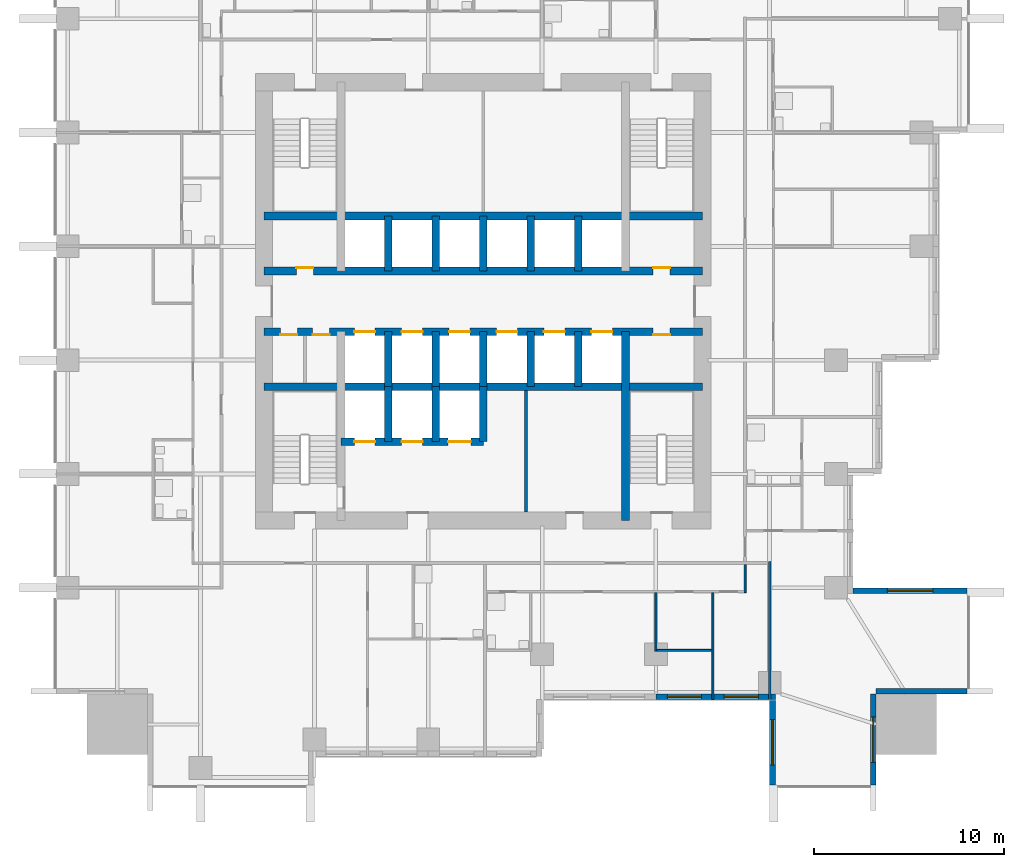
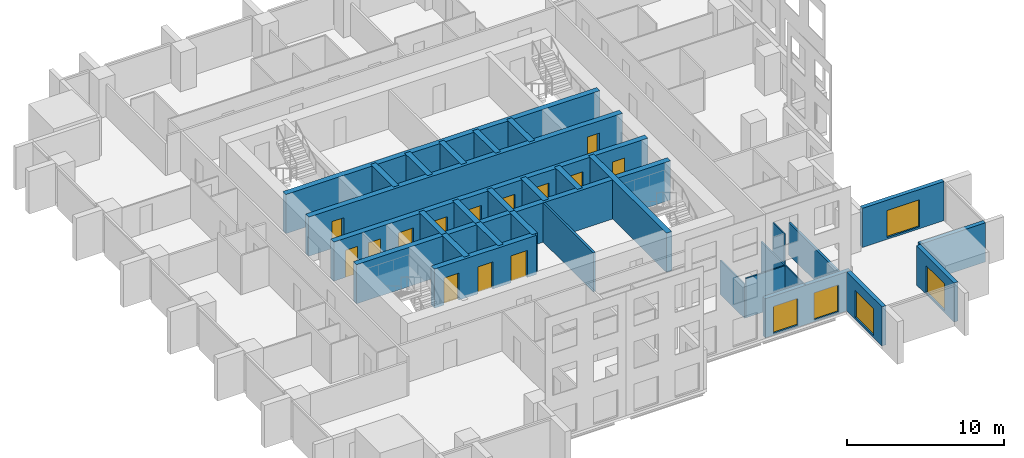
# One storey, part 5 of 11: 30 walls, 14 doors, 5 windows, 19 openings.
"""IFC4 building model written with IfcOpenShell, lengths in metres."""

from ifc_helpers import new_model, si_unit, direction, frame, frame_2d, origin, place, context, subcontext, project, spatial, rectangle, extrude, material, layer, layer_set, type_object, element, fill, save


model = new_model("IFC4")

# Units and contexts
model_context = context("Model", 3, precision=1e-05, world=origin(), true_north=direction((0.0, 1.0)))
body_context = subcontext(model_context, "Body", "Model", "MODEL_VIEW")
ifc_project = project(units=[si_unit("LENGTHUNIT", "METRE"), si_unit("AREAUNIT", "SQUARE_METRE"), si_unit("VOLUMEUNIT", "CUBIC_METRE"), si_unit("PLANEANGLEUNIT", "RADIAN"), si_unit("MASSUNIT", "GRAM", prefix="KILO")], contexts=[model_context])

# Site, building, storey
site_placement = place(None, origin())
site = spatial("IfcSite", under=ifc_project, at=site_placement, CompositionType="ELEMENT")
building_placement = place(site_placement, origin())
building = spatial("IfcBuilding", under=site, at=building_placement, Name="Amberfall Residences", CompositionType="ELEMENT")
storey_placement = place(building_placement, frame((0.0, 0.0, 33.39990234375)))
storey = spatial("IfcBuildingStorey", under=building, at=storey_placement, Name="L08", CompositionType="ELEMENT", Elevation=33.39990234375)

# Wall, opening, window
ifc_material_1 = material(Name="Pale stone cladding on insulated backing", Category="masonry")
ifc_layer_1 = layer(ifc_material_1, 0.300048828125)
ifc_layer_set_1 = layer_set([ifc_layer_1], Name="Bronze clad wall 300")
wall_type_1 = type_object("IfcWallType", Name="Bronze clad wall 300", PredefinedType="SOLIDWALL", material=ifc_layer_set_1)
wall_1_placement = place(storey_placement, frame((89.75, 24.5, 0.0), z_axis=(0.0, 0.0, 1.0), x_axis=(0.0, -1.0, 0.0)))
wall_1 = element("IfcWall", 1, at=wall_1_placement, inside=storey, type_object=wall_type_1, Name="External wall L08 S", PredefinedType="SOLIDWALL", context=body_context, shape_type="SweptSolid", body=[
    extrude(rectangle(XDim=4.5, YDim=0.300048828125, at=frame_2d((2.25, 0.0))), origin(), (0.0, 0.0, 1.0), 3.050048828125),
])
opening_1_placement = place(wall_1_placement, frame((1.050048828125, 0.0, 0.14990234375)))
opening_1 = element("IfcOpeningElement", 2, at=opening_1_placement, cuts=wall_1, Name="Opening WN5", PredefinedType="OPENING", context=body_context, shape_type="SweptSolid", body=[
    extrude(rectangle(XDim=2.39990234375, YDim=2.10009765625, at=frame_2d((1.199951171875, 1.050048828125))), frame((0.0, 0.159912109375, 0.0), z_axis=(0.0, -1.0, 0.0), x_axis=(1.0, 0.0, 0.0)), (0.0, 0.0, 1.0), 0.320068359375),
])
ifc_material_2 = material(Name="Bronze aluminium framed glazing", Category="aluminium")
window_type_1 = type_object("IfcWindowType", Name="Glazed opening 2400 x 2100 bronze", PartitioningType="DOUBLE_PANEL_VERTICAL", PredefinedType="WINDOW", material=ifc_material_2)
window_1_placement = place(opening_1_placement, origin())
window_1 = element("IfcWindow", 3, at=window_1_placement, inside=storey, type_object=window_type_1, Name="Window L08 S", OverallHeight=2.10009765625, OverallWidth=2.39990234375, PartitioningType="DOUBLE_PANEL_VERTICAL", PredefinedType="WINDOW", context=body_context, shape_type="SweptSolid", body=[
    extrude(rectangle(XDim=2.39990234375, YDim=2.10009765625, at=frame_2d((1.199951171875, 1.050048828125))), frame((0.0, 0.030029296875, 0.0), z_axis=(0.0, -1.0, 0.0), x_axis=(1.0, 0.0, 0.0)), (0.0, 0.0, 1.0), 0.06005859375),
])
fill(opening_1, window_1)

wall_2_placement = place(storey_placement, frame((95.050048828125, 20.0, 0.0), z_axis=(0.0, 0.0, 1.0), x_axis=(0.0, 1.0, 0.0)))
wall_2 = element("IfcWall", 4, at=wall_2_placement, inside=storey, type_object=wall_type_1, Name="External wall L08 SE", PredefinedType="SOLIDWALL", context=body_context, shape_type="SweptSolid", body=[
    extrude(rectangle(XDim=4.800048828125, YDim=0.300048828125, at=frame_2d((2.39990234375, 0.0))), origin(), (0.0, 0.0, 1.0), 3.050048828125),
])
opening_2_placement = place(wall_2_placement, frame((1.199951171875, 0.0, 0.14990234375)))
opening_2 = element("IfcOpeningElement", 5, at=opening_2_placement, cuts=wall_2, Name="Opening WN5", PredefinedType="OPENING", context=body_context, shape_type="SweptSolid", body=[
    extrude(rectangle(XDim=2.39990234375, YDim=2.10009765625, at=frame_2d((1.199951171875, 1.050048828125))), frame((0.0, 0.159912109375, 0.0), z_axis=(0.0, -1.0, 0.0), x_axis=(1.0, 0.0, 0.0)), (0.0, 0.0, 1.0), 0.320068359375),
])
window_2_placement = place(opening_2_placement, origin())
window_2 = element("IfcWindow", 6, at=window_2_placement, inside=storey, type_object=window_type_1, Name="Window L08 SE", OverallHeight=2.10009765625, OverallWidth=2.39990234375, PartitioningType="DOUBLE_PANEL_VERTICAL", PredefinedType="WINDOW", context=body_context, shape_type="SweptSolid", body=[
    extrude(rectangle(XDim=2.39990234375, YDim=2.10009765625, at=frame_2d((1.199951171875, 1.050048828125))), frame((0.0, 0.030029296875, 0.0), z_axis=(0.0, -1.0, 0.0), x_axis=(1.0, 0.0, 0.0)), (0.0, 0.0, 1.0), 0.06005859375),
])
fill(opening_2, window_2)

# Wall
wall_3_placement = place(storey_placement, frame((95.199951171875, 24.949951171875, 0.0), z_axis=(0.0, 0.0, 1.0), x_axis=(1.0, 0.0, 0.0)))
element("IfcWall", 7, at=wall_3_placement, inside=storey, type_object=wall_type_1, Name="External wall L08 SE", PredefinedType="SOLIDWALL", context=body_context, shape_type="SweptSolid", body=[
    extrude(rectangle(XDim=4.800048828125, YDim=0.300048828125, at=frame_2d((2.39990234375, 0.0))), origin(), (0.0, 0.0, 1.0), 3.050048828125),
])

# Wall, opening, window
wall_4_placement = place(storey_placement, frame((100.0, 30.25, 0.0), z_axis=(0.0, 0.0, 1.0), x_axis=(-1.0, 0.0, 0.0)))
wall_4 = element("IfcWall", 8, at=wall_4_placement, inside=storey, type_object=wall_type_1, Name="External wall L08 E", PredefinedType="SOLIDWALL", context=body_context, shape_type="SweptSolid", body=[
    extrude(rectangle(XDim=6.0, YDim=0.300048828125, at=frame_2d((3.0, 0.0))), origin(), (0.0, 0.0, 1.0), 3.050048828125),
])
opening_3_placement = place(wall_4_placement, frame((1.800048828125, 0.0, 0.14990234375)))
opening_3 = element("IfcOpeningElement", 9, at=opening_3_placement, cuts=wall_4, Name="Opening WN5", PredefinedType="OPENING", context=body_context, shape_type="SweptSolid", body=[
    extrude(rectangle(XDim=2.39990234375, YDim=2.10009765625, at=frame_2d((1.199951171875, 1.050048828125))), frame((0.0, 0.159912109375, 0.0), z_axis=(0.0, -1.0, 0.0), x_axis=(1.0, 0.0, 0.0)), (0.0, 0.0, 1.0), 0.320068359375),
])
window_3_placement = place(opening_3_placement, origin())
window_3 = element("IfcWindow", 10, at=window_3_placement, inside=storey, type_object=window_type_1, Name="Window L08 E", OverallHeight=2.10009765625, OverallWidth=2.39990234375, PartitioningType="DOUBLE_PANEL_VERTICAL", PredefinedType="WINDOW", context=body_context, shape_type="SweptSolid", body=[
    extrude(rectangle(XDim=2.39990234375, YDim=2.10009765625, at=frame_2d((1.199951171875, 1.050048828125))), frame((0.0, 0.030029296875, 0.0), z_axis=(0.0, -1.0, 0.0), x_axis=(1.0, 0.0, 0.0)), (0.0, 0.0, 1.0), 0.06005859375),
])
fill(opening_3, window_3)

# Wall, openings, windows
wall_5_placement = place(storey_placement, frame((83.60009765625, 24.64990234375, 0.0), z_axis=(0.0, 0.0, 1.0), x_axis=(1.0, 0.0, 0.0)))
wall_5 = element("IfcWall", 11, at=wall_5_placement, inside=storey, type_object=wall_type_1, Name="Stone wall L08 S", PredefinedType="SOLIDWALL", context=body_context, shape_type="SweptSolid", body=[
    extrude(rectangle(XDim=6.2998046875, YDim=0.300048828125, at=frame_2d((3.14990234375, 0.0))), origin(), (0.0, 0.0, 1.0), 3.050048828125),
])
opening_4_placement = place(wall_5_placement, frame((0.60009765625, 0.0, 0.14990234375)))
opening_4 = element("IfcOpeningElement", 12, at=opening_4_placement, cuts=wall_5, Name="Opening WN6", PredefinedType="OPENING", context=body_context, shape_type="SweptSolid", body=[
    extrude(rectangle(XDim=1.800048828125, YDim=2.10009765625, at=frame_2d((0.89990234375, 1.050048828125))), frame((0.0, 0.159912109375, 0.0), z_axis=(0.0, -1.0, 0.0), x_axis=(1.0, 0.0, 0.0)), (0.0, 0.0, 1.0), 0.320068359375),
])
opening_5_placement = place(wall_5_placement, frame((3.60009765625, 0.0, 0.14990234375)))
opening_5 = element("IfcOpeningElement", 13, at=opening_5_placement, cuts=wall_5, Name="Opening WN6", PredefinedType="OPENING", context=body_context, shape_type="SweptSolid", body=[
    extrude(rectangle(XDim=1.800048828125, YDim=2.10009765625, at=frame_2d((0.89990234375, 1.050048828125))), frame((0.0, 0.159912109375, 0.0), z_axis=(0.0, -1.0, 0.0), x_axis=(1.0, 0.0, 0.0)), (0.0, 0.0, 1.0), 0.320068359375),
])
window_type_2 = type_object("IfcWindowType", Name="Glazed opening 1800 x 2100 bronze", PartitioningType="DOUBLE_PANEL_VERTICAL", PredefinedType="WINDOW", material=ifc_material_2)
window_4_placement = place(opening_4_placement, origin())
window_4 = element("IfcWindow", 14, at=window_4_placement, inside=storey, type_object=window_type_2, Name="Window L08 S", OverallHeight=2.10009765625, OverallWidth=1.800048828125, PartitioningType="DOUBLE_PANEL_VERTICAL", PredefinedType="WINDOW", context=body_context, shape_type="SweptSolid", body=[
    extrude(rectangle(XDim=1.800048828125, YDim=2.10009765625, at=frame_2d((0.89990234375, 1.050048828125))), frame((0.0, 0.030029296875, 0.0), z_axis=(0.0, -1.0, 0.0), x_axis=(1.0, 0.0, 0.0)), (0.0, 0.0, 1.0), 0.06005859375),
])
fill(opening_4, window_4)
window_5_placement = place(opening_5_placement, origin())
window_5 = element("IfcWindow", 15, at=window_5_placement, inside=storey, type_object=window_type_2, Name="Window L08 S", OverallHeight=2.10009765625, OverallWidth=1.800048828125, PartitioningType="DOUBLE_PANEL_VERTICAL", PredefinedType="WINDOW", context=body_context, shape_type="SweptSolid", body=[
    extrude(rectangle(XDim=1.800048828125, YDim=2.10009765625, at=frame_2d((0.89990234375, 1.050048828125))), frame((0.0, 0.030029296875, 0.0), z_axis=(0.0, -1.0, 0.0), x_axis=(1.0, 0.0, 0.0)), (0.0, 0.0, 1.0), 0.06005859375),
])
fill(opening_5, window_5)

# Wall
ifc_material_3 = material(Name="Concrete C80", Category="concrete")
ifc_layer_2 = layer(ifc_material_3, 0.39990234375)
ifc_layer_set_2 = layer_set([ifc_layer_2], Name="Core wall 400 C80")
wall_type_2 = type_object("IfcWallType", Name="Core wall 400 C80", PredefinedType="SHEAR", material=ifc_layer_set_2)
wall_6_placement = place(storey_placement, frame((62.949951171875, 41.0, 0.0), z_axis=(0.0, 0.0, 1.0), x_axis=(1.0, 0.0, 0.0)))
element("IfcWall", 16, at=wall_6_placement, inside=storey, type_object=wall_type_2, Name="Core wall RW2 L08 H75", PredefinedType="SHEAR", context=body_context, shape_type="SweptSolid", body=[
    extrude(rectangle(XDim=23.10009765625, YDim=0.39990234375, at=frame_2d((11.550048828125, 0.0))), origin(), (0.0, 0.0, 1.0), 3.050048828125),
])

# Wall, openings, doors
wall_7_placement = place(storey_placement, frame((62.949951171875, 43.89990234375, 0.0), z_axis=(0.0, 0.0, 1.0), x_axis=(1.0, 0.0, 0.0)))
wall_7 = element("IfcWall", 17, at=wall_7_placement, inside=storey, type_object=wall_type_2, Name="Core wall RW2 L08 H104", PredefinedType="SHEAR", context=body_context, shape_type="SweptSolid", body=[
    extrude(rectangle(XDim=23.10009765625, YDim=0.39990234375, at=frame_2d((11.550048828125, 0.0))), origin(), (0.0, 0.0, 1.0), 3.050048828125),
])
opening_6_placement = place(wall_7_placement, frame((0.85009765625, 0.0, 0.0)))
opening_6 = element("IfcOpeningElement", 18, at=opening_6_placement, cuts=wall_7, Name="Opening RD1", PredefinedType="OPENING", context=body_context, shape_type="SweptSolid", body=[
    extrude(rectangle(XDim=0.89990234375, YDim=2.10009765625, at=frame_2d((0.449951171875, 1.050048828125))), frame((0.0, 0.2099609375, 0.0), z_axis=(0.0, -1.0, 0.0), x_axis=(1.0, 0.0, 0.0)), (0.0, 0.0, 1.0), 0.419921875),
])
opening_7_placement = place(wall_7_placement, frame((2.550048828125, 0.0, 0.0)))
opening_7 = element("IfcOpeningElement", 19, at=opening_7_placement, cuts=wall_7, Name="Opening RD1", PredefinedType="OPENING", context=body_context, shape_type="SweptSolid", body=[
    extrude(rectangle(XDim=0.89990234375, YDim=2.10009765625, at=frame_2d((0.449951171875, 1.050048828125))), frame((0.0, 0.2099609375, 0.0), z_axis=(0.0, -1.0, 0.0), x_axis=(1.0, 0.0, 0.0)), (0.0, 0.0, 1.0), 0.419921875),
])
opening_8_placement = place(wall_7_placement, frame((20.5, 0.0, 0.0)))
opening_8 = element("IfcOpeningElement", 20, at=opening_8_placement, cuts=wall_7, Name="Opening RD1", PredefinedType="OPENING", context=body_context, shape_type="SweptSolid", body=[
    extrude(rectangle(XDim=0.89990234375, YDim=2.10009765625, at=frame_2d((0.449951171875, 1.050048828125))), frame((0.0, 0.2099609375, 0.0), z_axis=(0.0, -1.0, 0.0), x_axis=(1.0, 0.0, 0.0)), (0.0, 0.0, 1.0), 0.419921875),
])
opening_9_placement = place(wall_7_placement, frame((4.75, 0.0, 0.0)))
opening_9 = element("IfcOpeningElement", 21, at=opening_9_placement, cuts=wall_7, Name="Opening LD1", PredefinedType="OPENING", context=body_context, shape_type="SweptSolid", body=[
    extrude(rectangle(XDim=1.10009765625, YDim=2.10009765625, at=frame_2d((0.550048828125, 1.050048828125))), frame((0.0, 0.2099609375, 0.0), z_axis=(0.0, -1.0, 0.0), x_axis=(1.0, 0.0, 0.0)), (0.0, 0.0, 1.0), 0.419921875),
])
opening_10_placement = place(wall_7_placement, frame((7.25, 0.0, 0.0)))
opening_10 = element("IfcOpeningElement", 22, at=opening_10_placement, cuts=wall_7, Name="Opening LD1", PredefinedType="OPENING", context=body_context, shape_type="SweptSolid", body=[
    extrude(rectangle(XDim=1.10009765625, YDim=2.10009765625, at=frame_2d((0.550048828125, 1.050048828125))), frame((0.0, 0.2099609375, 0.0), z_axis=(0.0, -1.0, 0.0), x_axis=(1.0, 0.0, 0.0)), (0.0, 0.0, 1.0), 0.419921875),
])
opening_11_placement = place(wall_7_placement, frame((9.75, 0.0, 0.0)))
opening_11 = element("IfcOpeningElement", 23, at=opening_11_placement, cuts=wall_7, Name="Opening LD1", PredefinedType="OPENING", context=body_context, shape_type="SweptSolid", body=[
    extrude(rectangle(XDim=1.10009765625, YDim=2.10009765625, at=frame_2d((0.550048828125, 1.050048828125))), frame((0.0, 0.2099609375, 0.0), z_axis=(0.0, -1.0, 0.0), x_axis=(1.0, 0.0, 0.0)), (0.0, 0.0, 1.0), 0.419921875),
])
opening_12_placement = place(wall_7_placement, frame((12.25, 0.0, 0.0)))
opening_12 = element("IfcOpeningElement", 24, at=opening_12_placement, cuts=wall_7, Name="Opening LD1", PredefinedType="OPENING", context=body_context, shape_type="SweptSolid", body=[
    extrude(rectangle(XDim=1.10009765625, YDim=2.10009765625, at=frame_2d((0.550048828125, 1.050048828125))), frame((0.0, 0.2099609375, 0.0), z_axis=(0.0, -1.0, 0.0), x_axis=(1.0, 0.0, 0.0)), (0.0, 0.0, 1.0), 0.419921875),
])
opening_13_placement = place(wall_7_placement, frame((14.75, 0.0, 0.0)))
opening_13 = element("IfcOpeningElement", 25, at=opening_13_placement, cuts=wall_7, Name="Opening LD1", PredefinedType="OPENING", context=body_context, shape_type="SweptSolid", body=[
    extrude(rectangle(XDim=1.10009765625, YDim=2.10009765625, at=frame_2d((0.550048828125, 1.050048828125))), frame((0.0, 0.2099609375, 0.0), z_axis=(0.0, -1.0, 0.0), x_axis=(1.0, 0.0, 0.0)), (0.0, 0.0, 1.0), 0.419921875),
])
opening_14_placement = place(wall_7_placement, frame((17.25, 0.0, 0.0)))
opening_14 = element("IfcOpeningElement", 26, at=opening_14_placement, cuts=wall_7, Name="Opening LD1", PredefinedType="OPENING", context=body_context, shape_type="SweptSolid", body=[
    extrude(rectangle(XDim=1.10009765625, YDim=2.10009765625, at=frame_2d((0.550048828125, 1.050048828125))), frame((0.0, 0.2099609375, 0.0), z_axis=(0.0, -1.0, 0.0), x_axis=(1.0, 0.0, 0.0)), (0.0, 0.0, 1.0), 0.419921875),
])
ifc_material_4 = material(Name="Steel fire door set", Category="steel")
door_type_1 = type_object("IfcDoorType", Name="Lift landing door 1100 x 2100", OperationType="DOUBLE_DOOR_SLIDING", PredefinedType="DOOR", material=ifc_material_4)
door_1_placement = place(opening_9_placement, origin())
door_1 = element("IfcDoor", 27, at=door_1_placement, inside=storey, type_object=door_type_1, Name="Landing door LP1 L08", OperationType="DOUBLE_DOOR_SLIDING", OverallHeight=2.10009765625, OverallWidth=1.10009765625, PredefinedType="DOOR", context=body_context, shape_type="SweptSolid", body=[
    extrude(rectangle(XDim=1.10009765625, YDim=2.10009765625, at=frame_2d((0.550048828125, 1.050048828125))), frame((0.0, 0.02490234375, 0.0), z_axis=(0.0, -1.0, 0.0), x_axis=(1.0, 0.0, 0.0)), (0.0, 0.0, 1.0), 0.050048828125),
])
fill(opening_9, door_1)
door_2_placement = place(opening_10_placement, origin())
door_2 = element("IfcDoor", 28, at=door_2_placement, inside=storey, type_object=door_type_1, Name="Landing door LP2 L08", OperationType="DOUBLE_DOOR_SLIDING", OverallHeight=2.10009765625, OverallWidth=1.10009765625, PredefinedType="DOOR", context=body_context, shape_type="SweptSolid", body=[
    extrude(rectangle(XDim=1.10009765625, YDim=2.10009765625, at=frame_2d((0.550048828125, 1.050048828125))), frame((0.0, 0.02490234375, 0.0), z_axis=(0.0, -1.0, 0.0), x_axis=(1.0, 0.0, 0.0)), (0.0, 0.0, 1.0), 0.050048828125),
])
fill(opening_10, door_2)
door_3_placement = place(opening_11_placement, origin())
door_3 = element("IfcDoor", 29, at=door_3_placement, inside=storey, type_object=door_type_1, Name="Landing door LP3 L08", OperationType="DOUBLE_DOOR_SLIDING", OverallHeight=2.10009765625, OverallWidth=1.10009765625, PredefinedType="DOOR", context=body_context, shape_type="SweptSolid", body=[
    extrude(rectangle(XDim=1.10009765625, YDim=2.10009765625, at=frame_2d((0.550048828125, 1.050048828125))), frame((0.0, 0.02490234375, 0.0), z_axis=(0.0, -1.0, 0.0), x_axis=(1.0, 0.0, 0.0)), (0.0, 0.0, 1.0), 0.050048828125),
])
fill(opening_11, door_3)
door_4_placement = place(opening_12_placement, origin())
door_4 = element("IfcDoor", 30, at=door_4_placement, inside=storey, type_object=door_type_1, Name="Landing door LP4 L08", OperationType="DOUBLE_DOOR_SLIDING", OverallHeight=2.10009765625, OverallWidth=1.10009765625, PredefinedType="DOOR", context=body_context, shape_type="SweptSolid", body=[
    extrude(rectangle(XDim=1.10009765625, YDim=2.10009765625, at=frame_2d((0.550048828125, 1.050048828125))), frame((0.0, 0.02490234375, 0.0), z_axis=(0.0, -1.0, 0.0), x_axis=(1.0, 0.0, 0.0)), (0.0, 0.0, 1.0), 0.050048828125),
])
fill(opening_12, door_4)
door_5_placement = place(opening_13_placement, origin())
door_5 = element("IfcDoor", 31, at=door_5_placement, inside=storey, type_object=door_type_1, Name="Landing door LP5 L08", OperationType="DOUBLE_DOOR_SLIDING", OverallHeight=2.10009765625, OverallWidth=1.10009765625, PredefinedType="DOOR", context=body_context, shape_type="SweptSolid", body=[
    extrude(rectangle(XDim=1.10009765625, YDim=2.10009765625, at=frame_2d((0.550048828125, 1.050048828125))), frame((0.0, 0.02490234375, 0.0), z_axis=(0.0, -1.0, 0.0), x_axis=(1.0, 0.0, 0.0)), (0.0, 0.0, 1.0), 0.050048828125),
])
fill(opening_13, door_5)
door_6_placement = place(opening_14_placement, origin())
door_6 = element("IfcDoor", 32, at=door_6_placement, inside=storey, type_object=door_type_1, Name="Landing door LP6 L08", OperationType="DOUBLE_DOOR_SLIDING", OverallHeight=2.10009765625, OverallWidth=1.10009765625, PredefinedType="DOOR", context=body_context, shape_type="SweptSolid", body=[
    extrude(rectangle(XDim=1.10009765625, YDim=2.10009765625, at=frame_2d((0.550048828125, 1.050048828125))), frame((0.0, 0.02490234375, 0.0), z_axis=(0.0, -1.0, 0.0), x_axis=(1.0, 0.0, 0.0)), (0.0, 0.0, 1.0), 0.050048828125),
])
fill(opening_14, door_6)
door_type_2 = type_object("IfcDoorType", Name="Service room door 900 x 2100", OperationType="SINGLE_SWING_LEFT", PredefinedType="DOOR", material=ifc_material_4)
door_7_placement = place(opening_6_placement, origin())
door_7 = element("IfcDoor", 33, at=door_7_placement, inside=storey, type_object=door_type_2, Name="RD1 L08", OperationType="SINGLE_SWING_LEFT", OverallHeight=2.10009765625, OverallWidth=0.89990234375, PredefinedType="DOOR", context=body_context, shape_type="SweptSolid", body=[
    extrude(rectangle(XDim=0.89990234375, YDim=2.10009765625, at=frame_2d((0.449951171875, 1.050048828125))), frame((0.0, -0.1376953125, 0.0), z_axis=(0.0, -1.0, 0.0), x_axis=(1.0, 0.0, 0.0)), (0.0, 0.0, 1.0), 0.050048828125),
])
fill(opening_6, door_7)
door_8_placement = place(opening_7_placement, origin())
door_8 = element("IfcDoor", 34, at=door_8_placement, inside=storey, type_object=door_type_2, Name="RD1 L08", OperationType="SINGLE_SWING_RIGHT", OverallHeight=2.10009765625, OverallWidth=0.89990234375, PredefinedType="DOOR", context=body_context, shape_type="SweptSolid", body=[
    extrude(rectangle(XDim=0.89990234375, YDim=2.10009765625, at=frame_2d((0.449951171875, 1.050048828125))), frame((0.0, -0.1376953125, 0.0), z_axis=(0.0, -1.0, 0.0), x_axis=(1.0, 0.0, 0.0)), (0.0, 0.0, 1.0), 0.050048828125),
])
fill(opening_7, door_8)
door_9_placement = place(opening_8_placement, origin())
door_9 = element("IfcDoor", 35, at=door_9_placement, inside=storey, type_object=door_type_2, Name="RD1 L08", OperationType="SINGLE_SWING_LEFT", OverallHeight=2.10009765625, OverallWidth=0.89990234375, PredefinedType="DOOR", context=body_context, shape_type="SweptSolid", body=[
    extrude(rectangle(XDim=0.89990234375, YDim=2.10009765625, at=frame_2d((0.449951171875, 1.050048828125))), frame((0.0, -0.1376953125, 0.0), z_axis=(0.0, -1.0, 0.0), x_axis=(1.0, 0.0, 0.0)), (0.0, 0.0, 1.0), 0.050048828125),
])
fill(opening_8, door_9)

wall_8_placement = place(storey_placement, frame((62.949951171875, 47.10009765625, 0.0), z_axis=(0.0, 0.0, 1.0), x_axis=(1.0, 0.0, 0.0)))
wall_8 = element("IfcWall", 36, at=wall_8_placement, inside=storey, type_object=wall_type_2, Name="Core wall RW2 L08 H136", PredefinedType="SHEAR", context=body_context, shape_type="SweptSolid", body=[
    extrude(rectangle(XDim=23.10009765625, YDim=0.39990234375, at=frame_2d((11.550048828125, 0.0))), origin(), (0.0, 0.0, 1.0), 3.050048828125),
])
opening_15_placement = place(wall_8_placement, frame((1.699951171875, 0.0, 0.0)))
opening_15 = element("IfcOpeningElement", 37, at=opening_15_placement, cuts=wall_8, Name="Opening RD1", PredefinedType="OPENING", context=body_context, shape_type="SweptSolid", body=[
    extrude(rectangle(XDim=0.89990234375, YDim=2.10009765625, at=frame_2d((0.449951171875, 1.050048828125))), frame((0.0, 0.2099609375, 0.0), z_axis=(0.0, -1.0, 0.0), x_axis=(1.0, 0.0, 0.0)), (0.0, 0.0, 1.0), 0.419921875),
])
opening_16_placement = place(wall_8_placement, frame((20.5, 0.0, 0.0)))
opening_16 = element("IfcOpeningElement", 38, at=opening_16_placement, cuts=wall_8, Name="Opening RD1", PredefinedType="OPENING", context=body_context, shape_type="SweptSolid", body=[
    extrude(rectangle(XDim=0.89990234375, YDim=2.10009765625, at=frame_2d((0.449951171875, 1.050048828125))), frame((0.0, 0.2099609375, 0.0), z_axis=(0.0, -1.0, 0.0), x_axis=(1.0, 0.0, 0.0)), (0.0, 0.0, 1.0), 0.419921875),
])
door_10_placement = place(opening_15_placement, origin())
door_10 = element("IfcDoor", 39, at=door_10_placement, inside=storey, type_object=door_type_2, Name="RD1 L08", OperationType="SINGLE_SWING_LEFT", OverallHeight=2.10009765625, OverallWidth=0.89990234375, PredefinedType="DOOR", context=body_context, shape_type="SweptSolid", body=[
    extrude(rectangle(XDim=0.89990234375, YDim=2.10009765625, at=frame_2d((0.449951171875, 1.050048828125))), frame((0.0, 0.1875, 0.0), z_axis=(0.0, -1.0, 0.0), x_axis=(1.0, 0.0, 0.0)), (0.0, 0.0, 1.0), 0.050048828125),
])
fill(opening_15, door_10)
door_11_placement = place(opening_16_placement, origin())
door_11 = element("IfcDoor", 40, at=door_11_placement, inside=storey, type_object=door_type_2, Name="RD1 L08", OperationType="SINGLE_SWING_LEFT", OverallHeight=2.10009765625, OverallWidth=0.89990234375, PredefinedType="DOOR", context=body_context, shape_type="SweptSolid", body=[
    extrude(rectangle(XDim=0.89990234375, YDim=2.10009765625, at=frame_2d((0.449951171875, 1.050048828125))), frame((0.0, 0.1875, 0.0), z_axis=(0.0, -1.0, 0.0), x_axis=(1.0, 0.0, 0.0)), (0.0, 0.0, 1.0), 0.050048828125),
])
fill(opening_16, door_11)

# Walls
wall_9_placement = place(storey_placement, frame((62.949951171875, 50.0, 0.0), z_axis=(0.0, 0.0, 1.0), x_axis=(1.0, 0.0, 0.0)))
element("IfcWall", 41, at=wall_9_placement, inside=storey, type_object=wall_type_2, Name="Core wall RW2 L08 H165", PredefinedType="SHEAR", context=body_context, shape_type="SweptSolid", body=[
    extrude(rectangle(XDim=23.10009765625, YDim=0.39990234375, at=frame_2d((11.550048828125, 0.0))), origin(), (0.0, 0.0, 1.0), 3.050048828125),
])
wall_10_placement = place(storey_placement, frame((82.0, 33.949951171875, 0.0), z_axis=(0.0, 0.0, 1.0), x_axis=(0.0, 1.0, 0.0)))
element("IfcWall", 42, at=wall_10_placement, inside=storey, type_object=wall_type_2, Name="Core wall RW2 L08 V195S", PredefinedType="SHEAR", context=body_context, shape_type="SweptSolid", body=[
    extrude(rectangle(XDim=9.949951171875, YDim=0.39990234375, at=frame_2d((4.97509765625, 0.0))), origin(), (0.0, 0.0, 1.0), 3.050048828125),
])
for number, where, z_axis, x_axis, name in (
    (43, (69.5, 41.0, 0.0), (0.0, 0.0, 1.0), (0.0, 1.0, 0.0), "Core wall RW2 L08 LPD1"),
    (44, (69.5, 47.10009765625, 0.0), (0.0, 0.0, 1.0), (0.0, 1.0, 0.0), "Core wall RW2 L08 HPD1"),
    (45, (72.0, 41.0, 0.0), (0.0, 0.0, 1.0), (0.0, 1.0, 0.0), "Core wall RW2 L08 LPD2"),
    (46, (72.0, 47.10009765625, 0.0), (0.0, 0.0, 1.0), (0.0, 1.0, 0.0), "Core wall RW2 L08 HPD2"),
    (47, (74.5, 41.0, 0.0), (0.0, 0.0, 1.0), (0.0, 1.0, 0.0), "Core wall RW2 L08 LPD3"),
    (48, (74.5, 47.10009765625, 0.0), (0.0, 0.0, 1.0), (0.0, 1.0, 0.0), "Core wall RW2 L08 HPD3"),
    (49, (77.0, 41.0, 0.0), (0.0, 0.0, 1.0), (0.0, 1.0, 0.0), "Core wall RW2 L08 LPD4"),
    (50, (77.0, 47.10009765625, 0.0), (0.0, 0.0, 1.0), (0.0, 1.0, 0.0), "Core wall RW2 L08 HPD4"),
    (51, (79.5, 41.0, 0.0), (0.0, 0.0, 1.0), (0.0, 1.0, 0.0), "Core wall RW2 L08 LPD5"),
    (52, (79.5, 47.10009765625, 0.0), (0.0, 0.0, 1.0), (0.0, 1.0, 0.0), "Core wall RW2 L08 HPD5"),
):
    element("IfcWall", number, at=place(storey_placement, frame(where, z_axis=z_axis, x_axis=x_axis)), inside=storey, type_object=wall_type_2, Name=name, PredefinedType="SHEAR", context=body_context, shape_type="SweptSolid", body=[
        extrude(rectangle(XDim=2.89990234375, YDim=0.39990234375, at=frame_2d((1.449951171875, 0.0))), origin(), (0.0, 0.0, 1.0), 3.050048828125),
    ])

# Wall, openings, doors
wall_11_placement = place(storey_placement, frame((67.0, 38.10009765625, 0.0), z_axis=(0.0, 0.0, 1.0), x_axis=(1.0, 0.0, 0.0)))
wall_11 = element("IfcWall", 53, at=wall_11_placement, inside=storey, type_object=wall_type_2, Name="Core wall RW2 L08 FFF", PredefinedType="SHEAR", context=body_context, shape_type="SweptSolid", body=[
    extrude(rectangle(XDim=7.5, YDim=0.39990234375, at=frame_2d((3.75, 0.0))), origin(), (0.0, 0.0, 1.0), 3.050048828125),
])
opening_17_placement = place(wall_11_placement, frame((0.699951171875, 0.0, 0.0)))
opening_17 = element("IfcOpeningElement", 54, at=opening_17_placement, cuts=wall_11, Name="Opening LD2", PredefinedType="OPENING", context=body_context, shape_type="SweptSolid", body=[
    extrude(rectangle(XDim=1.10009765625, YDim=2.10009765625, at=frame_2d((0.550048828125, 1.050048828125))), frame((0.0, 0.2099609375, 0.0), z_axis=(0.0, -1.0, 0.0), x_axis=(1.0, 0.0, 0.0)), (0.0, 0.0, 1.0), 0.419921875),
])
opening_18_placement = place(wall_11_placement, frame((3.199951171875, 0.0, 0.0)))
opening_18 = element("IfcOpeningElement", 55, at=opening_18_placement, cuts=wall_11, Name="Opening LD2", PredefinedType="OPENING", context=body_context, shape_type="SweptSolid", body=[
    extrude(rectangle(XDim=1.10009765625, YDim=2.10009765625, at=frame_2d((0.550048828125, 1.050048828125))), frame((0.0, 0.2099609375, 0.0), z_axis=(0.0, -1.0, 0.0), x_axis=(1.0, 0.0, 0.0)), (0.0, 0.0, 1.0), 0.419921875),
])
opening_19_placement = place(wall_11_placement, frame((5.64990234375, 0.0, 0.0)))
opening_19 = element("IfcOpeningElement", 56, at=opening_19_placement, cuts=wall_11, Name="Opening LD3", PredefinedType="OPENING", context=body_context, shape_type="SweptSolid", body=[
    extrude(rectangle(XDim=1.199951171875, YDim=2.10009765625, at=frame_2d((0.60009765625, 1.050048828125))), frame((0.0, 0.2099609375, 0.0), z_axis=(0.0, -1.0, 0.0), x_axis=(1.0, 0.0, 0.0)), (0.0, 0.0, 1.0), 0.419921875),
])
door_type_3 = type_object("IfcDoorType", Name="Firefighting lift landing door 1100 x 2100", OperationType="DOUBLE_DOOR_SLIDING", PredefinedType="DOOR", material=ifc_material_4)
door_12_placement = place(opening_17_placement, origin())
door_12 = element("IfcDoor", 57, at=door_12_placement, inside=storey, type_object=door_type_3, Name="Landing door FF1 L08", OperationType="DOUBLE_DOOR_SLIDING", OverallHeight=2.10009765625, OverallWidth=1.10009765625, PredefinedType="DOOR", context=body_context, shape_type="SweptSolid", body=[
    extrude(rectangle(XDim=1.10009765625, YDim=2.10009765625, at=frame_2d((0.550048828125, 1.050048828125))), frame((0.0, 0.02490234375, 0.0), z_axis=(0.0, -1.0, 0.0), x_axis=(1.0, 0.0, 0.0)), (0.0, 0.0, 1.0), 0.050048828125),
])
fill(opening_17, door_12)
door_13_placement = place(opening_18_placement, origin())
door_13 = element("IfcDoor", 58, at=door_13_placement, inside=storey, type_object=door_type_3, Name="Landing door FF2 L08", OperationType="DOUBLE_DOOR_SLIDING", OverallHeight=2.10009765625, OverallWidth=1.10009765625, PredefinedType="DOOR", context=body_context, shape_type="SweptSolid", body=[
    extrude(rectangle(XDim=1.10009765625, YDim=2.10009765625, at=frame_2d((0.550048828125, 1.050048828125))), frame((0.0, 0.02490234375, 0.0), z_axis=(0.0, -1.0, 0.0), x_axis=(1.0, 0.0, 0.0)), (0.0, 0.0, 1.0), 0.050048828125),
])
fill(opening_18, door_13)
door_type_4 = type_object("IfcDoorType", Name="Service lift landing door 1200 x 2100", OperationType="DOUBLE_DOOR_SLIDING", PredefinedType="DOOR", material=ifc_material_4)
door_14_placement = place(opening_19_placement, origin())
door_14 = element("IfcDoor", 59, at=door_14_placement, inside=storey, type_object=door_type_4, Name="Landing door SL1 L08", OperationType="DOUBLE_DOOR_SLIDING", OverallHeight=2.10009765625, OverallWidth=1.199951171875, PredefinedType="DOOR", context=body_context, shape_type="SweptSolid", body=[
    extrude(rectangle(XDim=1.199951171875, YDim=2.10009765625, at=frame_2d((0.60009765625, 1.050048828125))), frame((0.0, 0.02490234375, 0.0), z_axis=(0.0, -1.0, 0.0), x_axis=(1.0, 0.0, 0.0)), (0.0, 0.0, 1.0), 0.050048828125),
])
fill(opening_19, door_14)

# Walls
for number, where, z_axis, x_axis, name in (
    (60, (69.5, 38.10009765625, 0.0), (0.0, 0.0, 1.0), (0.0, 1.0, 0.0), "Core wall RW2 L08 FFD1"),
    (61, (72.0, 38.10009765625, 0.0), (0.0, 0.0, 1.0), (0.0, 1.0, 0.0), "Core wall RW2 L08 FFD2"),
    (62, (74.5, 38.10009765625, 0.0), (0.0, 0.0, 1.0), (0.0, 1.0, 0.0), "Core wall RW2 L08 FFD3"),
):
    element("IfcWall", number, at=place(storey_placement, frame(where, z_axis=z_axis, x_axis=x_axis)), inside=storey, type_object=wall_type_2, Name=name, PredefinedType="SHEAR", context=body_context, shape_type="SweptSolid", body=[
        extrude(rectangle(XDim=2.89990234375, YDim=0.39990234375, at=frame_2d((1.449951171875, 0.0))), origin(), (0.0, 0.0, 1.0), 3.050048828125),
    ])
ifc_material_5 = material(Name="Gypsum board on metal stud")
ifc_layer_3 = layer(ifc_material_5, 0.10009765625)
ifc_layer_set_3 = layer_set([ifc_layer_3], Name="Flat partition 100")
wall_type_3 = type_object("IfcWallType", Name="Flat partition 100", PredefinedType="PARTITIONING", material=ifc_layer_set_3)
wall_12_placement = place(storey_placement, frame((83.60009765625, 27.050048828125, 0.0), z_axis=(0.0, 0.0, 1.0), x_axis=(0.0, 1.0, 0.0)))
element("IfcWall", 63, at=wall_12_placement, inside=storey, type_object=wall_type_3, Name="Partition 014", PredefinedType="PARTITIONING", context=body_context, shape_type="SweptSolid", body=[
    extrude(rectangle(XDim=3.099853515625, YDim=0.10009765625, at=frame_2d((1.5498046875, 0.0))), origin(), (0.0, 0.0, 1.0), 2.647216796875),
])
wall_13_placement = place(storey_placement, frame((86.60009765625, 24.5, 0.0), z_axis=(0.0, 0.0, 1.0), x_axis=(0.0, 1.0, 0.0)))
element("IfcWall", 64, at=wall_13_placement, inside=storey, type_object=wall_type_3, Name="Partition 016", PredefinedType="PARTITIONING", context=body_context, shape_type="SweptSolid", body=[
    extrude(rectangle(XDim=5.64990234375, YDim=0.10009765625, at=frame_2d((2.824951171875, 0.0))), origin(), (0.0, 0.0, 1.0), 3.050048828125),
])
wall_14_placement = place(storey_placement, frame((88.300048828125, 30.14990234375, 0.0), z_axis=(0.0, 0.0, 1.0), x_axis=(0.0, 1.0, 0.0)))
element("IfcWall", 65, at=wall_14_placement, inside=storey, type_object=wall_type_3, Name="Partition 017", PredefinedType="PARTITIONING", context=body_context, shape_type="SweptSolid", body=[
    extrude(rectangle(XDim=1.47509765625, YDim=0.10009765625, at=frame_2d((0.737548828125, 0.0))), origin(), (0.0, 0.0, 1.0), 3.050048828125),
])
wall_15_placement = place(storey_placement, frame((83.64990234375, 27.10009765625, 0.0), z_axis=(0.0, 0.0, 1.0), x_axis=(1.0, 0.0, 0.0)))
element("IfcWall", 66, at=wall_15_placement, inside=storey, type_object=wall_type_3, Name="Partition 043", PredefinedType="PARTITIONING", context=body_context, shape_type="SweptSolid", body=[
    extrude(rectangle(XDim=2.900146484375, YDim=0.10009765625, at=frame_2d((1.4501953125, 0.0))), origin(), (0.0, 0.0, 1.0), 3.050048828125),
])
ifc_material_6 = material(Name="Blockwork, plastered", Category="masonry")
ifc_layer_4 = layer(ifc_material_6, 0.14990234375)
ifc_layer_set_4 = layer_set([ifc_layer_4], Name="Flat separating wall 150")
wall_type_4 = type_object("IfcWallType", Name="Flat separating wall 150", PredefinedType="PARTITIONING", material=ifc_layer_set_4)
wall_16_placement = place(storey_placement, frame((89.60009765625, 24.5, 0.0), z_axis=(0.0, 0.0, 1.0), x_axis=(0.0, 1.0, 0.0)))
element("IfcWall", 67, at=wall_16_placement, inside=storey, type_object=wall_type_4, Name="Separating wall 049", PredefinedType="PARTITIONING", context=body_context, shape_type="SweptSolid", body=[
    extrude(rectangle(XDim=7.27490234375, YDim=0.14990234375, at=frame_2d((3.637451171875, 0.0))), origin(), (0.0, 0.0, 1.0), 2.51611328125),
])
ifc_material_7 = material(Name="Concrete blockwork", Category="masonry")
ifc_layer_5 = layer(ifc_material_7, 0.14990234375)
ifc_layer_set_5 = layer_set([ifc_layer_5], Name="Riser wall 150")
wall_type_5 = type_object("IfcWallType", Name="Riser wall 150", PredefinedType="PLUMBINGWALL", material=ifc_layer_set_5)
wall_17_placement = place(storey_placement, frame((76.75, 34.39990234375, 0.0), z_axis=(0.0, 0.0, 1.0), x_axis=(0.0, 1.0, 0.0)))
element("IfcWall", 68, at=wall_17_placement, inside=storey, type_object=wall_type_5, Name="L08 core wall PX", PredefinedType="PLUMBINGWALL", context=body_context, shape_type="SweptSolid", body=[
    extrude(rectangle(XDim=6.400146484375, YDim=0.14990234375, at=frame_2d((3.2001953125, 0.0))), origin(), (0.0, 0.0, 1.0), 3.050048828125),
])

save(model, "model.ifc")
